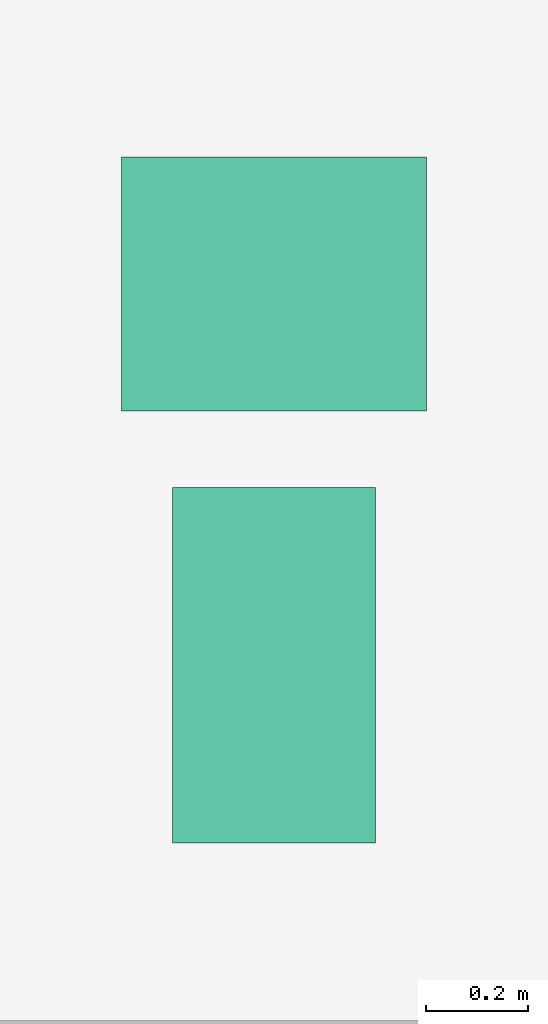
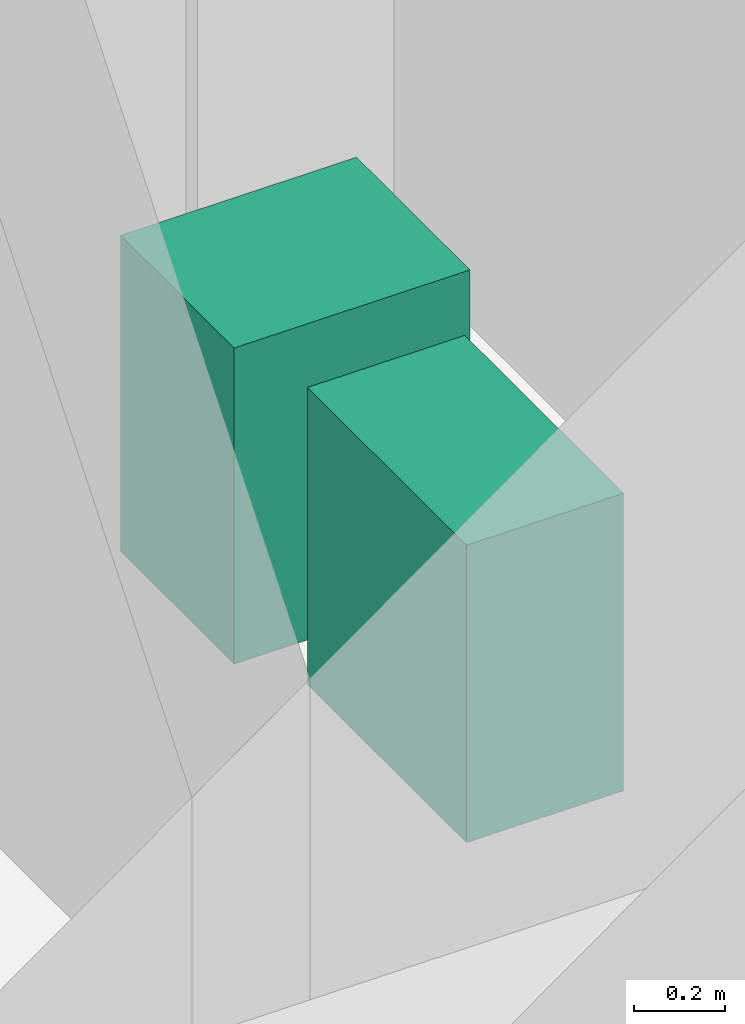
# One storey, part 28 of 28: 2 sanitary terminals.
"""IFC4 building model written with IfcOpenShell, lengths in metres."""

from ifc_helpers import new_model, si_unit, direction, frame, origin, origin_2d, place, context, subcontext, project, spatial, rectangle, extrude, element, save


model = new_model("IFC4")

# Units and contexts
model_context = context("Model", 3, precision=1e-05, world=origin(), true_north=direction((0.0, 1.0)))
body_context = subcontext(model_context, "Body", "Model", "MODEL_VIEW")
ifc_project = project(units=[si_unit("LENGTHUNIT", "METRE"), si_unit("AREAUNIT", "SQUARE_METRE"), si_unit("VOLUMEUNIT", "CUBIC_METRE"), si_unit("PLANEANGLEUNIT", "RADIAN"), si_unit("MASSUNIT", "GRAM", prefix="KILO")], contexts=[model_context])

# Site, building, storey
site_placement = place(None, origin())
site = spatial("IfcSite", under=ifc_project, at=site_placement, CompositionType="ELEMENT")
building_placement = place(site_placement, origin())
building = spatial("IfcBuilding", under=site, at=building_placement, Name="Loomwork Tower", CompositionType="ELEMENT")
storey_placement = place(building_placement, frame((0.0, 0.0, 6.0)))
storey = spatial("IfcBuildingStorey", under=building, at=storey_placement, Name="L01", CompositionType="ELEMENT", Elevation=6.0)

# Sanitary terminals
sanitary_terminal_1_placement = place(storey_placement, frame((15.35009765625, 12.10009765625, 0.0), z_axis=(0.0, 0.0, 1.0), x_axis=(1.0, 0.0, 0.0)))
element("IfcSanitaryTerminal", 1, at=sanitary_terminal_1_placement, inside=storey, Name="WC L01", PredefinedType="TOILETPAN", context=body_context, shape_type="SweptSolid", body=[
    extrude(rectangle(XDim=0.39990234375, YDim=0.699951171875, at=origin_2d()), origin(), (0.0, 0.0, 1.0), 0.800048828125),
])
sanitary_terminal_2_placement = place(storey_placement, frame((15.35009765625, 12.85009765625, 0.0), z_axis=(0.0, 0.0, 1.0), x_axis=(1.0, 0.0, 0.0)))
element("IfcSanitaryTerminal", 2, at=sanitary_terminal_2_placement, inside=storey, Name="Basin L01", PredefinedType="WASHHANDBASIN", context=body_context, shape_type="SweptSolid", body=[
    extrude(rectangle(XDim=0.60009765625, YDim=0.5, at=origin_2d()), origin(), (0.0, 0.0, 1.0), 0.85009765625),
])

save(model, "model.ifc")
